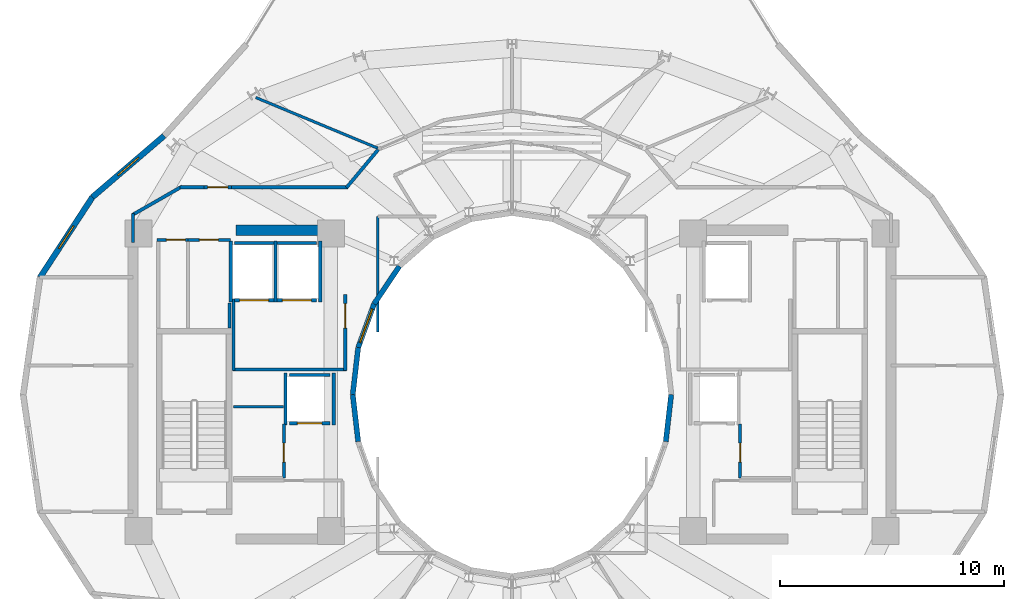
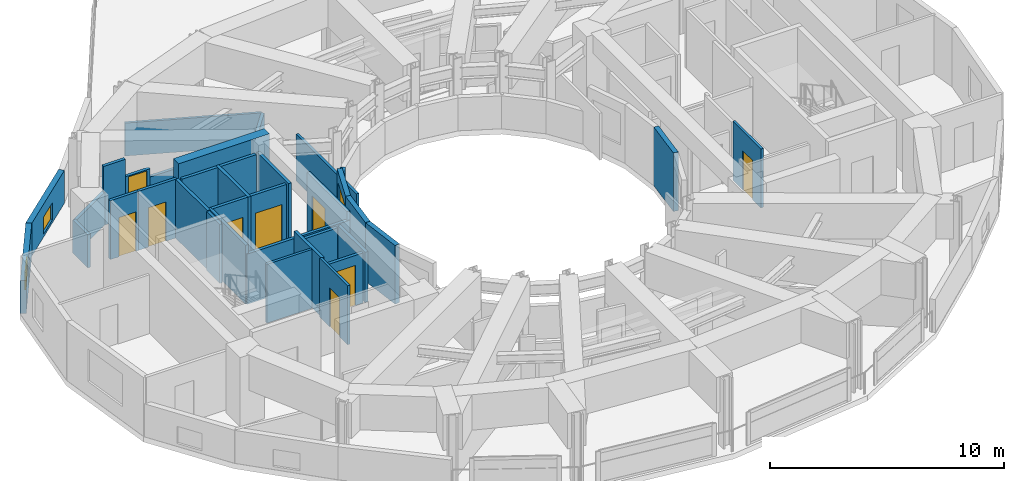
# One storey, part 15 of 21: 36 walls, 9 doors, 3 windows, 12 openings.
"""IFC4 building model written with IfcOpenShell, lengths in metres."""

from ifc_helpers import new_model, si_unit, direction, frame, frame_2d, origin, place, context, subcontext, project, spatial, rectangle, extrude, material, layer, layer_set, type_object, element, fill, save


model = new_model("IFC4")

# Units and contexts
model_context = context("Model", 3, precision=1e-05, world=origin(), true_north=direction((0.0, 1.0)))
body_context = subcontext(model_context, "Body", "Model", "MODEL_VIEW")
ifc_project = project(units=[si_unit("LENGTHUNIT", "METRE"), si_unit("AREAUNIT", "SQUARE_METRE"), si_unit("VOLUMEUNIT", "CUBIC_METRE"), si_unit("PLANEANGLEUNIT", "RADIAN"), si_unit("MASSUNIT", "GRAM", prefix="KILO")], contexts=[model_context])

# Site, building, storey
site_placement = place(None, origin())
site = spatial("IfcSite", under=ifc_project, at=site_placement, CompositionType="ELEMENT")
building_placement = place(site_placement, origin())
building = spatial("IfcBuilding", under=site, at=building_placement, Name="Solvane Sanctuary Tower", CompositionType="ELEMENT")
storey_placement = place(building_placement, frame((0.0, 0.0, 256.800048828125)))
storey = spatial("IfcBuildingStorey", under=building, at=storey_placement, Name="L78", CompositionType="ELEMENT", Elevation=256.800048828125)

# Walls
ifc_material_1 = material(Name="Concrete C50/60", Category="concrete")
ifc_layer_1 = layer(ifc_material_1, 0.449951171875, Name="Concrete C50/60")
ifc_layer_set_1 = layer_set([ifc_layer_1], Name="Concrete C50/60")
wall_type_1 = type_object("IfcWallType", Name="Wall W-CORE-450", PredefinedType="SHEAR", material=ifc_layer_set_1)
wall_1_placement = place(storey_placement, frame((19.64990234375, 30.35009765625, 0.0), z_axis=(0.0, 0.0, 1.0), x_axis=(1.0, 0.0, 0.0)))
element("IfcWall", 1, at=wall_1_placement, inside=storey, type_object=wall_type_1, Name="L78 Core Shear Wall WC-N", PredefinedType="SHEAR", context=body_context, shape_type="SweptSolid", body=[
    extrude(rectangle(XDim=4.5, YDim=0.449951171875, at=frame_2d((2.25, 0.0))), origin(), (0.0, 0.0, 1.0), 3.599853515625),
])
ifc_material_2 = material(Name="Acoustic Gypsum Partition Board")
ifc_layer_2 = layer(ifc_material_2, 0.14990234375, Name="Acoustic Gypsum Partition Board")
ifc_layer_set_2 = layer_set([ifc_layer_2], Name="Acoustic Gypsum Partition Board")
wall_type_2 = type_object("IfcWallType", Name="Wall W-CORR-150", PredefinedType="PARTITIONING", material=ifc_layer_set_2)
wall_2_placement = place(storey_placement, frame((19.52001953125, 24.1201171875, 0.0), z_axis=(0.0, 0.0, 1.0), x_axis=(1.0, 0.0, 0.0)))
element("IfcWall", 2, at=wall_2_placement, inside=storey, type_object=wall_type_2, Name="L78 West Firefighting Lobby South Wall", PredefinedType="PARTITIONING", context=body_context, shape_type="SweptSolid", body=[
    extrude(rectangle(XDim=5.080078125, YDim=0.14990234375, at=frame_2d((2.5400390625, 0.0))), origin(), (0.0, 0.0, 1.0), 2.619873046875),
])
wall_3_placement = place(storey_placement, frame((19.550048828125, 24.080078125, 0.0), z_axis=(0.0, 0.0, 1.0), x_axis=(0.0, 1.0, 0.0)))
element("IfcWall", 3, at=wall_3_placement, inside=storey, type_object=wall_type_2, Name="L78 West Firefighting Lobby West Wall", PredefinedType="PARTITIONING", context=body_context, shape_type="SweptSolid", body=[
    extrude(rectangle(XDim=3.199951171875, YDim=0.14990234375, at=frame_2d((1.60009765625, 0.0))), origin(), (0.0, 0.0, 1.0), 3.074951171875),
])

# Wall, opening, door
wall_4_placement = place(storey_placement, frame((24.550048828125, 24.080078125, 0.0), z_axis=(0.0, 0.0, 1.0), x_axis=(0.0, 1.0, 0.0)))
wall_4 = element("IfcWall", 4, at=wall_4_placement, inside=storey, type_object=wall_type_2, Name="L78 West Firefighting Lobby East Wall", PredefinedType="PARTITIONING", context=body_context, shape_type="SweptSolid", body=[
    extrude(rectangle(XDim=3.39990234375, YDim=0.14990234375, at=frame_2d((1.699951171875, 0.0))), origin(), (0.0, 0.0, 1.0), 3.074951171875),
])
opening_1_placement = place(wall_4_placement, frame((1.893798828125, 0.0, 0.0)))
opening_1 = element("IfcOpeningElement", 5, at=opening_1_placement, cuts=wall_4, Name="Opening D-L78-03", PredefinedType="OPENING", context=body_context, shape_type="SweptSolid", body=[
    extrude(rectangle(XDim=1.10009765625, YDim=2.10009765625, at=frame_2d((0.550048828125, 1.050048828125))), frame((0.0, 0.0849609375, 0.0), z_axis=(0.0, -1.0, 0.0), x_axis=(1.0, 0.0, 0.0)), (0.0, 0.0, 1.0), 0.169921875),
])
ifc_material_3 = material(Name="Architectural Stainless Steel 316", Category="steel")
door_type_1 = type_object("IfcDoorType", Name="Door D-FFL", OperationType="NOTDEFINED", PredefinedType="DOOR", material=ifc_material_3)
door_1_placement = place(opening_1_placement, origin())
door_1 = element("IfcDoor", 6, at=door_1_placement, inside=storey, type_object=door_type_1, Name="L78 West Firefighting Lobby Fire Door", OperationType="SINGLE_SWING_RIGHT", OverallHeight=2.10009765625, OverallWidth=1.10009765625, PredefinedType="DOOR", context=body_context, shape_type="SweptSolid", body=[
    extrude(rectangle(XDim=1.10009765625, YDim=2.10009765625, at=frame_2d((0.550048828125, 1.050048828125))), frame((0.0, 0.02490234375, 0.0), z_axis=(0.0, -1.0, 0.0), x_axis=(1.0, 0.0, 0.0)), (0.0, 0.0, 1.0), 0.050048828125),
])
fill(opening_1, door_1)

# Walls
wall_5_placement = place(storey_placement, frame((15.050048828125, 29.800048828125, 0.0), z_axis=(0.0, 0.0, 1.0), x_axis=(0.0, 1.0, 0.0)))
element("IfcWall", 7, at=wall_5_placement, inside=storey, type_object=wall_type_2, Name="L78 NW Corner Closer 1", PredefinedType="PARTITIONING", context=body_context, shape_type="SweptSolid", body=[
    extrude(rectangle(XDim=1.2900390625, YDim=0.14990234375, at=frame_2d((0.64501953125, 0.0))), origin(), (0.0, 0.0, 1.0), 1.719970703125),
])
wall_6_placement = place(storey_placement, frame((26.015869140625, 33.95458984375, 0.0), z_axis=(0.0, 0.0, 1.0), x_axis=(-0.64030392053, -0.76812166312, 0.0)))
element("IfcWall", 8, at=wall_6_placement, inside=storey, type_object=wall_type_2, Name="L78 NW Corner Throat Wall", PredefinedType="PARTITIONING", context=body_context, shape_type="SweptSolid", body=[
    extrude(rectangle(XDim=2.2099609375, YDim=0.14990234375, at=frame_2d((1.10498046875, 0.0))), origin(), (0.0, 0.0, 1.0), 1.719970703125),
])
wall_7_placement = place(storey_placement, frame((17.14990234375, 32.280029296875, 0.0), z_axis=(0.0, 0.0, 1.0), x_axis=(1.0, 0.0, 0.0)))
element("IfcWall", 9, at=wall_7_placement, inside=storey, type_object=wall_type_2, Name="L78 NW Corner Corridor Wall", PredefinedType="PARTITIONING", context=body_context, shape_type="SweptSolid", body=[
    extrude(rectangle(XDim=1.08251953125, YDim=0.14990234375, at=frame_2d((0.541259765625, 0.0))), origin(), (0.0, 0.0, 1.0), 3.074951171875),
])

# Wall, opening, door
wall_8_placement = place(storey_placement, frame((18.232421875, 32.280029296875, 0.0), z_axis=(0.0, 0.0, 1.0), x_axis=(1.0, 0.0, 0.0)))
wall_8 = element("IfcWall", 10, at=wall_8_placement, inside=storey, type_object=wall_type_2, Name="L78 NW Corner Corridor Wall", PredefinedType="PARTITIONING", context=body_context, shape_type="SweptSolid", body=[
    extrude(rectangle(XDim=1.219970703125, YDim=0.14990234375, at=frame_2d((0.60986328125, 0.0))), origin(), (0.0, 0.0, 1.0), 2.159912109375),
])
opening_2_placement = place(wall_8_placement, frame((0.159912109375, 0.0, 0.0)))
opening_2 = element("IfcOpeningElement", 11, at=opening_2_placement, cuts=wall_8, Name="Opening D-L78-22", PredefinedType="OPENING", context=body_context, shape_type="SweptSolid", body=[
    extrude(rectangle(XDim=0.89990234375, YDim=2.10009765625, at=frame_2d((0.449951171875, 1.050048828125))), frame((0.0, 0.0849609375, 0.0), z_axis=(0.0, -1.0, 0.0), x_axis=(1.0, 0.0, 0.0)), (0.0, 0.0, 1.0), 0.169921875),
])
ifc_material_4 = material(Name="Engineered Tropical Hardwood", Category="wood")
door_type_2 = type_object("IfcDoorType", Name="Door D-WET-900", OperationType="NOTDEFINED", PredefinedType="DOOR", material=ifc_material_4)
door_2_placement = place(opening_2_placement, origin())
door_2 = element("IfcDoor", 12, at=door_2_placement, inside=storey, type_object=door_type_2, Name="L78 NW Corner Salon Door", OperationType="SINGLE_SWING_LEFT", OverallHeight=2.10009765625, OverallWidth=0.89990234375, PredefinedType="DOOR", context=body_context, shape_type="SweptSolid", body=[
    extrude(rectangle(XDim=0.89990234375, YDim=2.10009765625, at=frame_2d((0.449951171875, 1.050048828125))), frame((0.0, 0.02490234375, 0.0), z_axis=(0.0, -1.0, 0.0), x_axis=(1.0, 0.0, 0.0)), (0.0, 0.0, 1.0), 0.050048828125),
])
fill(opening_2, door_2)

# Walls
wall_9_placement = place(storey_placement, frame((19.452392578125, 32.280029296875, 0.0), z_axis=(0.0, 0.0, 1.0), x_axis=(1.0, 0.0, 0.0)))
element("IfcWall", 13, at=wall_9_placement, inside=storey, type_object=wall_type_2, Name="L78 NW Corner Corridor Wall", PredefinedType="PARTITIONING", context=body_context, shape_type="SweptSolid", body=[
    extrude(rectangle(XDim=5.217529296875, YDim=0.14990234375, at=frame_2d((2.60888671875, 0.0))), origin(), (0.0, 0.0, 1.0), 1.719970703125),
])
wall_10_placement = place(storey_placement, frame((17.243408203125, 32.3046875, 0.0), z_axis=(0.0, 0.0, 1.0), x_axis=(-0.867991349648, -0.496579315857, 0.0)))
element("IfcWall", 14, at=wall_10_placement, inside=storey, type_object=wall_type_2, Name="L78 NW Corner Wing Wall", PredefinedType="PARTITIONING", context=body_context, shape_type="SweptSolid", body=[
    extrude(rectangle(XDim=2.56689453125, YDim=0.14990234375, at=frame_2d((1.283447265625, 0.0))), origin(), (0.0, 0.0, 1.0), 1.719970703125),
])

# Wall, opening, window
ifc_material_5 = material(Name="Precast concrete C40/50", Category="concrete")
ifc_layer_3 = layer(ifc_material_5, 0.260009765625, Name="Precast concrete C40/50")
ifc_layer_set_3 = layer_set([ifc_layer_3], Name="Precast concrete C40/50")
wall_type_3 = type_object("IfcWallType", Name="Wall W-EXT-250", PredefinedType="STANDARD", material=ifc_layer_set_3)
wall_11_placement = place(storey_placement, frame((16.4423828125, 34.572265625, 0.0), z_axis=(0.0, 0.0, 1.0), x_axis=(-0.759587504333, -0.650405122413, 0.0)))
wall_11 = element("IfcWall", 15, at=wall_11_placement, inside=storey, type_object=wall_type_3, Name="L78 Ceramic-Printed Facade Wall 09", PredefinedType="STANDARD", context=body_context, shape_type="SweptSolid", body=[
    extrude(rectangle(XDim=4.21728515625, YDim=0.260009765625, at=frame_2d((2.108642578125, 0.0))), origin(), (0.0, 0.0, 1.0), 1.719970703125),
])
opening_3_placement = place(wall_11_placement, frame((1.508544921875, 0.0, 0.14990234375)))
opening_3 = element("IfcOpeningElement", 16, at=opening_3_placement, cuts=wall_11, Name="Opening WN-OPER-1200", PredefinedType="OPENING", context=body_context, shape_type="SweptSolid", body=[
    extrude(rectangle(XDim=1.199951171875, YDim=0.89990234375, at=frame_2d((0.60009765625, 0.449951171875))), frame((0.0, 0.139892578125, 0.0), z_axis=(0.0, -1.0, 0.0), x_axis=(1.0, 0.0, 0.0)), (0.0, 0.0, 1.0), 0.280029296875),
])
ifc_material_6 = material(Name="Dark Ceramic-Fritted Low-E Glass", Category="glass")
window_type_1 = type_object("IfcWindowType", Name="Window WN-OPER-1200", PartitioningType="SINGLE_PANEL", PredefinedType="WINDOW", material=ifc_material_6)
window_1_placement = place(opening_3_placement, origin())
window_1 = element("IfcWindow", 17, at=window_1_placement, inside=storey, type_object=window_type_1, Name="L78 Operable Facade Window 09", OverallHeight=0.89990234375, OverallWidth=1.199951171875, PartitioningType="SINGLE_PANEL", PredefinedType="WINDOW", context=body_context, shape_type="SweptSolid", body=[
    extrude(rectangle(XDim=1.199951171875, YDim=0.89990234375, at=frame_2d((0.60009765625, 0.449951171875))), frame((0.0, 0.030029296875, 0.0), z_axis=(0.0, -1.0, 0.0), x_axis=(1.0, 0.0, 0.0)), (0.0, 0.0, 1.0), 0.06005859375),
])
fill(opening_3, window_1)

wall_12_placement = place(storey_placement, frame((13.239013671875, 31.829345703125, 0.0), z_axis=(0.0, 0.0, 1.0), x_axis=(-0.546606419826, -0.837389647539, 0.0)))
wall_12 = element("IfcWall", 18, at=wall_12_placement, inside=storey, type_object=wall_type_3, Name="L78 Ceramic-Printed Facade Wall 10", PredefinedType="STANDARD", context=body_context, shape_type="SweptSolid", body=[
    extrude(rectangle(XDim=4.287841796875, YDim=0.260009765625, at=frame_2d((2.14404296875, 0.0))), origin(), (0.0, 0.0, 1.0), 1.719970703125),
])
opening_4_placement = place(wall_12_placement, frame((1.5439453125, 0.0, 0.14990234375)))
opening_4 = element("IfcOpeningElement", 19, at=opening_4_placement, cuts=wall_12, Name="Opening WN-OPER-1200", PredefinedType="OPENING", context=body_context, shape_type="SweptSolid", body=[
    extrude(rectangle(XDim=1.199951171875, YDim=0.89990234375, at=frame_2d((0.60009765625, 0.449951171875))), frame((0.0, 0.139892578125, 0.0), z_axis=(0.0, -1.0, 0.0), x_axis=(1.0, 0.0, 0.0)), (0.0, 0.0, 1.0), 0.280029296875),
])
window_2_placement = place(opening_4_placement, origin())
window_2 = element("IfcWindow", 20, at=window_2_placement, inside=storey, type_object=window_type_1, Name="L78 Operable Facade Window 10", OverallHeight=0.89990234375, OverallWidth=1.199951171875, PartitioningType="SINGLE_PANEL", PredefinedType="WINDOW", context=body_context, shape_type="SweptSolid", body=[
    extrude(rectangle(XDim=1.199951171875, YDim=0.89990234375, at=frame_2d((0.60009765625, 0.449951171875))), frame((0.0, 0.030029296875, 0.0), z_axis=(0.0, -1.0, 0.0), x_axis=(1.0, 0.0, 0.0)), (0.0, 0.0, 1.0), 0.06005859375),
])
fill(opening_4, window_2)

# Wall
ifc_layer_4 = layer(ifc_material_5, 0.22998046875, Name="Precast concrete C40/50")
ifc_layer_set_4 = layer_set([ifc_layer_4], Name="Precast concrete C40/50")
wall_type_4 = type_object("IfcWallType", Name="Wall W-EXT-SP220", PredefinedType="STANDARD", material=ifc_layer_set_4)
wall_13_placement = place(storey_placement, frame((26.96533203125, 28.74169921875, 0.0), z_axis=(0.0, 0.0, 1.0), x_axis=(-0.558197800898, -0.829707909492, 0.0)))
element("IfcWall", 21, at=wall_13_placement, inside=storey, type_object=wall_type_4, Name="L78 Central Light-Well Wall 09", PredefinedType="STANDARD", context=body_context, shape_type="SweptSolid", body=[
    extrude(rectangle(XDim=2.02685546875, YDim=0.22998046875, at=frame_2d((1.013427734375, 0.0))), origin(), (0.0, 0.0, 1.0), 1.719970703125),
])

# Wall, opening, window
wall_14_placement = place(storey_placement, frame((25.833984375, 27.06005859375, 0.0), z_axis=(0.0, 0.0, 1.0), x_axis=(-0.341423187295, -0.93990968033, 0.0)))
wall_14 = element("IfcWall", 22, at=wall_14_placement, inside=storey, type_object=wall_type_4, Name="L78 Central Light-Well Wall 10", PredefinedType="STANDARD", context=body_context, shape_type="SweptSolid", body=[
    extrude(rectangle(XDim=2.083740234375, YDim=0.22998046875, at=frame_2d((1.0419921875, 0.0))), origin(), (0.0, 0.0, 1.0), 3.06005859375),
])
opening_5_placement = place(wall_14_placement, frame((0.24169921875, 0.0, 0.85009765625)))
opening_5 = element("IfcOpeningElement", 23, at=opening_5_placement, cuts=wall_14, Name="Opening WN-WELL-1600", PredefinedType="OPENING", context=body_context, shape_type="SweptSolid", body=[
    extrude(rectangle(XDim=1.60009765625, YDim=1.64990234375, at=frame_2d((0.800048828125, 0.824951171875))), frame((0.0, 0.125, 0.0), z_axis=(0.0, -1.0, 0.0), x_axis=(1.0, 0.0, 0.0)), (0.0, 0.0, 1.0), 0.25),
])
ifc_material_7 = material(Name="Clear Laminated Light-Well Glass", Category="glass")
window_type_2 = type_object("IfcWindowType", Name="Window WN-WELL-1600", PartitioningType="SINGLE_PANEL", PredefinedType="WINDOW", material=ifc_material_7)
window_3_placement = place(opening_5_placement, origin())
window_3 = element("IfcWindow", 24, at=window_3_placement, inside=storey, type_object=window_type_2, Name="L78 Light-Well Daylight Window 10", OverallHeight=1.64990234375, OverallWidth=1.60009765625, PartitioningType="SINGLE_PANEL", PredefinedType="WINDOW", context=body_context, shape_type="SweptSolid", body=[
    extrude(rectangle(XDim=1.60009765625, YDim=1.64990234375, at=frame_2d((0.800048828125, 0.824951171875))), frame((0.0, 0.030029296875, 0.0), z_axis=(0.0, -1.0, 0.0), x_axis=(1.0, 0.0, 0.0)), (0.0, 0.0, 1.0), 0.06005859375),
])
fill(opening_5, window_3)

# Walls
for number, where, z_axis, x_axis, name in (
    (25, (25.12255859375, 25.1015625, 0.0), (0.0, 0.0, 1.0), (-0.114711713601, -0.993398823617, 0.0), "L78 Central Light-Well Wall 11"),
    (26, (24.8798828125, 23.0, 0.0), (0.0, 0.0, 1.0), (0.114711713601, -0.993398823617, 0.0), "L78 Central Light-Well Wall 12"),
    (27, (38.87744140625, 20.8984375, 0.0), (0.0, 0.0, 1.0), (0.114711713601, 0.993398823617, 0.0), "L78 Central Light-Well Wall 23"),
):
    element("IfcWall", number, at=place(storey_placement, frame(where, z_axis=z_axis, x_axis=x_axis)), inside=storey, type_object=wall_type_4, Name=name, PredefinedType="STANDARD", context=body_context, shape_type="SweptSolid", body=[
        extrude(rectangle(XDim=2.115478515625, YDim=0.22998046875, at=frame_2d((1.0576171875, 0.0))), origin(), (0.0, 0.0, 1.0), 3.06005859375),
    ])
ifc_layer_5 = layer(ifc_material_2, 0.1201171875, Name="Acoustic Gypsum Partition Board")
ifc_layer_set_5 = layer_set([ifc_layer_5], Name="Acoustic Gypsum Partition Board")
wall_type_5 = type_object("IfcWallType", Name="Wall W-MOV-100", PredefinedType="MOVABLE", material=ifc_layer_set_5)
wall_15_placement = place(storey_placement, frame((26.000244140625, 34.017822265625, 0.0), z_axis=(0.0, 0.0, 1.0), x_axis=(-0.92349333748, 0.383614462228, 0.0)))
element("IfcWall", 28, at=wall_15_placement, inside=storey, type_object=wall_type_5, Name="L78 Sky Hall Radial Partition 120", PredefinedType="MOVABLE", context=body_context, shape_type="SweptSolid", body=[
    extrude(rectangle(XDim=5.9072265625, YDim=0.1201171875, at=frame_2d((2.95361328125, 0.0))), origin(), (0.0, 0.0, 1.0), 1.719970703125),
])

# Wall, opening, door
ifc_layer_6 = layer(ifc_material_2, 0.125, Name="Acoustic Gypsum Partition Board")
ifc_layer_set_6 = layer_set([ifc_layer_6], Name="Acoustic Gypsum Partition Board")
wall_type_6 = type_object("IfcWallType", Name="Wall W-PART-125", PredefinedType="PARTITIONING", material=ifc_layer_set_6)
wall_16_placement = place(storey_placement, frame((21.800048828125, 19.280029296875, 0.0), z_axis=(0.0, 0.0, 1.0), x_axis=(0.0, 1.0, 0.0)))
wall_16 = element("IfcWall", 29, at=wall_16_placement, inside=storey, type_object=wall_type_6, Name="L78 Reclaimed Room Partition PMW", PredefinedType="PARTITIONING", context=body_context, shape_type="SweptSolid", body=[
    extrude(rectangle(XDim=2.39990234375, YDim=0.125, at=frame_2d((1.199951171875, 0.0))), origin(), (0.0, 0.0, 1.0), 3.074951171875),
])
opening_6_placement = place(wall_16_placement, frame((0.699951171875, 0.0, 0.0)))
opening_6 = element("IfcOpeningElement", 30, at=opening_6_placement, cuts=wall_16, Name="Opening D-L78-07", PredefinedType="OPENING", context=body_context, shape_type="SweptSolid", body=[
    extrude(rectangle(XDim=0.85009765625, YDim=2.050048828125, at=frame_2d((0.425048828125, 1.02490234375))), frame((0.0, 0.072509765625, 0.0), z_axis=(0.0, -1.0, 0.0), x_axis=(1.0, 0.0, 0.0)), (0.0, 0.0, 1.0), 0.14501953125),
])
door_type_3 = type_object("IfcDoorType", Name="Door D-RISER", OperationType="NOTDEFINED", PredefinedType="DOOR", material=ifc_material_3)
door_3_placement = place(opening_6_placement, origin())
door_3 = element("IfcDoor", 31, at=door_3_placement, inside=storey, type_object=door_type_3, Name="L78 Reclaimed Room Door PMW-1", OperationType="SINGLE_SWING_RIGHT", OverallHeight=2.050048828125, OverallWidth=0.85009765625, PredefinedType="DOOR", context=body_context, shape_type="SweptSolid", body=[
    extrude(rectangle(XDim=0.85009765625, YDim=2.050048828125, at=frame_2d((0.425048828125, 1.02490234375))), frame((0.0, 0.02490234375, 0.0), z_axis=(0.0, -1.0, 0.0), x_axis=(1.0, 0.0, 0.0)), (0.0, 0.0, 1.0), 0.050048828125),
])
fill(opening_6, door_3)

# Wall
wall_17_placement = place(storey_placement, frame((19.550048828125, 22.4599609375, 0.0), z_axis=(0.0, 0.0, 1.0), x_axis=(1.0, 0.0, 0.0)))
element("IfcWall", 32, at=wall_17_placement, inside=storey, type_object=wall_type_6, Name="L78 Reclaimed Room Closer Wall PMW-2", PredefinedType="PARTITIONING", context=body_context, shape_type="SweptSolid", body=[
    extrude(rectangle(XDim=2.22998046875, YDim=0.125, at=frame_2d((1.114990234375, 0.0))), origin(), (0.0, 0.0, 1.0), 3.074951171875),
])

# Wall, opening, door
wall_18_placement = place(storey_placement, frame((42.199951171875, 19.280029296875, 0.0), z_axis=(0.0, 0.0, 1.0), x_axis=(0.0, 1.0, 0.0)))
wall_18 = element("IfcWall", 33, at=wall_18_placement, inside=storey, type_object=wall_type_6, Name="L78 Reclaimed Room Partition PME", PredefinedType="PARTITIONING", context=body_context, shape_type="SweptSolid", body=[
    extrude(rectangle(XDim=2.39990234375, YDim=0.125, at=frame_2d((1.199951171875, 0.0))), origin(), (0.0, 0.0, 1.0), 3.074951171875),
])
opening_7_placement = place(wall_18_placement, frame((0.699951171875, 0.0, 0.0)))
opening_7 = element("IfcOpeningElement", 34, at=opening_7_placement, cuts=wall_18, Name="Opening D-L78-08", PredefinedType="OPENING", context=body_context, shape_type="SweptSolid", body=[
    extrude(rectangle(XDim=0.85009765625, YDim=2.050048828125, at=frame_2d((0.425048828125, 1.02490234375))), frame((0.0, 0.072509765625, 0.0), z_axis=(0.0, -1.0, 0.0), x_axis=(1.0, 0.0, 0.0)), (0.0, 0.0, 1.0), 0.14501953125),
])
door_4_placement = place(opening_7_placement, origin())
door_4 = element("IfcDoor", 35, at=door_4_placement, inside=storey, type_object=door_type_3, Name="L78 Reclaimed Room Door PME-1", OperationType="SINGLE_SWING_LEFT", OverallHeight=2.050048828125, OverallWidth=0.85009765625, PredefinedType="DOOR", context=body_context, shape_type="SweptSolid", body=[
    extrude(rectangle(XDim=0.85009765625, YDim=2.050048828125, at=frame_2d((0.425048828125, 1.02490234375))), frame((0.0, 0.02490234375, 0.0), z_axis=(0.0, -1.0, 0.0), x_axis=(1.0, 0.0, 0.0)), (0.0, 0.0, 1.0), 0.050048828125),
])
fill(opening_7, door_4)

# Wall
wall_19_placement = place(storey_placement, frame((26.0, 25.800048828125, 0.0), z_axis=(0.0, 0.0, 1.0), x_axis=(0.0, 1.0, 0.0)))
element("IfcWall", 36, at=wall_19_placement, inside=storey, type_object=wall_type_6, Name="L78 Bridge Alcove Wall 1", PredefinedType="PARTITIONING", context=body_context, shape_type="SweptSolid", body=[
    extrude(rectangle(XDim=5.159912109375, YDim=0.125, at=frame_2d((2.580078125, 0.0))), origin(), (0.0, 0.0, 1.0), 2.451904296875),
])

# Wall, opening, door
ifc_layer_7 = layer(ifc_material_1, 0.14990234375, Name="Concrete C50/60")
ifc_layer_set_7 = layer_set([ifc_layer_7], Name="Concrete C50/60")
wall_type_7 = type_object("IfcWallType", Name="Wall W-SHAFT-150", PredefinedType="SOLIDWALL", material=ifc_layer_set_7)
wall_20_placement = place(storey_placement, frame((22.0400390625, 21.719970703125, 0.0), z_axis=(0.0, 0.0, 1.0), x_axis=(1.0, 0.0, 0.0)))
wall_20 = element("IfcWall", 37, at=wall_20_placement, inside=storey, type_object=wall_type_7, Name="L78 PH-1 Lift Shaft Wall F", PredefinedType="SOLIDWALL", context=body_context, shape_type="SweptSolid", body=[
    extrude(rectangle(XDim=1.820068359375, YDim=0.14990234375, at=frame_2d((0.91015625, 0.0))), origin(), (0.0, 0.0, 1.0), 2.619873046875),
])
opening_8_placement = place(wall_20_placement, frame((0.360107421875, 0.0, 0.0)))
opening_8 = element("IfcOpeningElement", 38, at=opening_8_placement, cuts=wall_20, Name="Opening LD-L78-01", PredefinedType="OPENING", context=body_context, shape_type="SweptSolid", body=[
    extrude(rectangle(XDim=1.10009765625, YDim=2.10009765625, at=frame_2d((0.550048828125, 1.050048828125))), frame((0.0, 0.0849609375, 0.0), z_axis=(0.0, -1.0, 0.0), x_axis=(1.0, 0.0, 0.0)), (0.0, 0.0, 1.0), 0.169921875),
])
door_type_4 = type_object("IfcDoorType", Name="Door LD-PASS-1100", OperationType="NOTDEFINED", PredefinedType="DOOR", material=ifc_material_3)
door_5_placement = place(opening_8_placement, origin())
door_5 = element("IfcDoor", 39, at=door_5_placement, inside=storey, type_object=door_type_4, Name="L78 PH-1 Lift Landing Door", OperationType="DOUBLE_DOOR_SLIDING", OverallHeight=2.10009765625, OverallWidth=1.10009765625, PredefinedType="DOOR", context=body_context, shape_type="SweptSolid", body=[
    extrude(rectangle(XDim=1.10009765625, YDim=2.10009765625, at=frame_2d((0.550048828125, 1.050048828125))), frame((0.0, 0.02490234375, 0.0), z_axis=(0.0, -1.0, 0.0), x_axis=(1.0, 0.0, 0.0)), (0.0, 0.0, 1.0), 0.050048828125),
])
fill(opening_8, door_5)

# Walls
wall_21_placement = place(storey_placement, frame((22.0400390625, 23.8798828125, 0.0), z_axis=(0.0, 0.0, 1.0), x_axis=(1.0, 0.0, 0.0)))
element("IfcWall", 40, at=wall_21_placement, inside=storey, type_object=wall_type_7, Name="L78 PH-1 Lift Shaft Wall B", PredefinedType="SOLIDWALL", context=body_context, shape_type="SweptSolid", body=[
    extrude(rectangle(XDim=1.820068359375, YDim=0.14990234375, at=frame_2d((0.91015625, 0.0))), origin(), (0.0, 0.0, 1.0), 2.619873046875),
])
wall_22_placement = place(storey_placement, frame((21.8701171875, 21.639892578125, 0.0), z_axis=(0.0, 0.0, 1.0), x_axis=(0.0, 1.0, 0.0)))
element("IfcWall", 41, at=wall_22_placement, inside=storey, type_object=wall_type_7, Name="L78 PH-1 Lift Shaft Wall S1", PredefinedType="SOLIDWALL", context=body_context, shape_type="SweptSolid", body=[
    extrude(rectangle(XDim=2.320068359375, YDim=0.14990234375, at=frame_2d((1.16015625, 0.0))), origin(), (0.0, 0.0, 1.0), 3.074951171875),
])
wall_23_placement = place(storey_placement, frame((24.030029296875, 21.639892578125, 0.0), z_axis=(0.0, 0.0, 1.0), x_axis=(0.0, 1.0, 0.0)))
element("IfcWall", 42, at=wall_23_placement, inside=storey, type_object=wall_type_7, Name="L78 PH-1 Lift Shaft Wall S2", PredefinedType="SOLIDWALL", context=body_context, shape_type="SweptSolid", body=[
    extrude(rectangle(XDim=2.320068359375, YDim=0.14990234375, at=frame_2d((1.16015625, 0.0))), origin(), (0.0, 0.0, 1.0), 2.619873046875),
])

# Wall, opening, door
wall_24_placement = place(storey_placement, frame((19.590087890625, 27.219970703125, 0.0), z_axis=(0.0, 0.0, 1.0), x_axis=(1.0, 0.0, 0.0)))
wall_24 = element("IfcWall", 43, at=wall_24_placement, inside=storey, type_object=wall_type_7, Name="L78 FFL-1 Lift Shaft Wall F", PredefinedType="SOLIDWALL", context=body_context, shape_type="SweptSolid", body=[
    extrude(rectangle(XDim=1.760009765625, YDim=0.14990234375, at=frame_2d((0.8798828125, 0.0))), origin(), (0.0, 0.0, 1.0), 3.074951171875),
])
opening_9_placement = place(wall_24_placement, frame((0.22998046875, 0.0, 0.0)))
opening_9 = element("IfcOpeningElement", 44, at=opening_9_placement, cuts=wall_24, Name="Opening LD-L78-03", PredefinedType="OPENING", context=body_context, shape_type="SweptSolid", body=[
    extrude(rectangle(XDim=1.300048828125, YDim=2.10009765625, at=frame_2d((0.64990234375, 1.050048828125))), frame((0.0, 0.0849609375, 0.0), z_axis=(0.0, -1.0, 0.0), x_axis=(1.0, 0.0, 0.0)), (0.0, 0.0, 1.0), 0.169921875),
])
door_type_5 = type_object("IfcDoorType", Name="Door LD-FFL-1300", OperationType="NOTDEFINED", PredefinedType="DOOR", material=ifc_material_3)
door_6_placement = place(opening_9_placement, origin())
door_6 = element("IfcDoor", 45, at=door_6_placement, inside=storey, type_object=door_type_5, Name="L78 FFL-1 Lift Landing Door", OperationType="DOUBLE_DOOR_SLIDING", OverallHeight=2.10009765625, OverallWidth=1.300048828125, PredefinedType="DOOR", context=body_context, shape_type="SweptSolid", body=[
    extrude(rectangle(XDim=1.300048828125, YDim=2.10009765625, at=frame_2d((0.64990234375, 1.050048828125))), frame((0.0, 0.02490234375, 0.0), z_axis=(0.0, -1.0, 0.0), x_axis=(1.0, 0.0, 0.0)), (0.0, 0.0, 1.0), 0.050048828125),
])
fill(opening_9, door_6)

# Walls
wall_25_placement = place(storey_placement, frame((19.590087890625, 29.780029296875, 0.0), z_axis=(0.0, 0.0, 1.0), x_axis=(1.0, 0.0, 0.0)))
element("IfcWall", 46, at=wall_25_placement, inside=storey, type_object=wall_type_7, Name="L78 FFL-1 Lift Shaft Wall B", PredefinedType="SOLIDWALL", context=body_context, shape_type="SweptSolid", body=[
    extrude(rectangle(XDim=1.760009765625, YDim=0.14990234375, at=frame_2d((0.8798828125, 0.0))), origin(), (0.0, 0.0, 1.0), 3.074951171875),
])
for number, where, z_axis, x_axis, name in (
    (47, (19.419921875, 27.139892578125, 0.0), (0.0, 0.0, 1.0), (0.0, 1.0, 0.0), "L78 FFL-1 Lift Shaft Wall S1"),
    (48, (21.425048828125, 27.139892578125, 0.0), (0.0, 0.0, 1.0), (0.0, 1.0, 0.0), "L78 FFL-1 Lift Shaft Wall S2"),
):
    element("IfcWall", number, at=place(storey_placement, frame(where, z_axis=z_axis, x_axis=x_axis)), inside=storey, type_object=wall_type_7, Name=name, PredefinedType="SOLIDWALL", context=body_context, shape_type="SweptSolid", body=[
        extrude(rectangle(XDim=2.72021484375, YDim=0.14990234375, at=frame_2d((1.360107421875, 0.0))), origin(), (0.0, 0.0, 1.0), 3.074951171875),
    ])

# Wall, opening, door
wall_26_placement = place(storey_placement, frame((21.5, 27.219970703125, 0.0), z_axis=(0.0, 0.0, 1.0), x_axis=(1.0, 0.0, 0.0)))
wall_26 = element("IfcWall", 49, at=wall_26_placement, inside=storey, type_object=wall_type_7, Name="L78 SVL-1 Lift Shaft Wall F", PredefinedType="SOLIDWALL", context=body_context, shape_type="SweptSolid", body=[
    extrude(rectangle(XDim=1.760009765625, YDim=0.14990234375, at=frame_2d((0.8798828125, 0.0))), origin(), (0.0, 0.0, 1.0), 3.074951171875),
])
opening_10_placement = place(wall_26_placement, frame((0.22998046875, 0.0, 0.0)))
opening_10 = element("IfcOpeningElement", 50, at=opening_10_placement, cuts=wall_26, Name="Opening LD-L78-04", PredefinedType="OPENING", context=body_context, shape_type="SweptSolid", body=[
    extrude(rectangle(XDim=1.300048828125, YDim=2.10009765625, at=frame_2d((0.64990234375, 1.050048828125))), frame((0.0, 0.0849609375, 0.0), z_axis=(0.0, -1.0, 0.0), x_axis=(1.0, 0.0, 0.0)), (0.0, 0.0, 1.0), 0.169921875),
])
door_7_placement = place(opening_10_placement, origin())
door_7 = element("IfcDoor", 51, at=door_7_placement, inside=storey, type_object=door_type_5, Name="L78 SVL-1 Lift Landing Door", OperationType="DOUBLE_DOOR_SLIDING", OverallHeight=2.10009765625, OverallWidth=1.300048828125, PredefinedType="DOOR", context=body_context, shape_type="SweptSolid", body=[
    extrude(rectangle(XDim=1.300048828125, YDim=2.10009765625, at=frame_2d((0.64990234375, 1.050048828125))), frame((0.0, 0.02490234375, 0.0), z_axis=(0.0, -1.0, 0.0), x_axis=(1.0, 0.0, 0.0)), (0.0, 0.0, 1.0), 0.050048828125),
])
fill(opening_10, door_7)

# Walls
wall_27_placement = place(storey_placement, frame((21.5, 29.780029296875, 0.0), z_axis=(0.0, 0.0, 1.0), x_axis=(1.0, 0.0, 0.0)))
element("IfcWall", 52, at=wall_27_placement, inside=storey, type_object=wall_type_7, Name="L78 SVL-1 Lift Shaft Wall B", PredefinedType="SOLIDWALL", context=body_context, shape_type="SweptSolid", body=[
    extrude(rectangle(XDim=1.760009765625, YDim=0.14990234375, at=frame_2d((0.8798828125, 0.0))), origin(), (0.0, 0.0, 1.0), 3.074951171875),
])
wall_28_placement = place(storey_placement, frame((23.429931640625, 27.139892578125, 0.0), z_axis=(0.0, 0.0, 1.0), x_axis=(0.0, 1.0, 0.0)))
element("IfcWall", 53, at=wall_28_placement, inside=storey, type_object=wall_type_7, Name="L78 SVL-1 Lift Shaft Wall S2", PredefinedType="SOLIDWALL", context=body_context, shape_type="SweptSolid", body=[
    extrude(rectangle(XDim=2.72021484375, YDim=0.14990234375, at=frame_2d((1.360107421875, 0.0))), origin(), (0.0, 0.0, 1.0), 3.074951171875),
])

# Wall, opening, door
ifc_layer_8 = layer(ifc_material_2, 0.139892578125, Name="Acoustic Gypsum Partition Board")
ifc_layer_set_8 = layer_set([ifc_layer_8], Name="Acoustic Gypsum Partition Board")
wall_type_8 = type_object("IfcWallType", Name="Wall W-WET-140", PredefinedType="PLUMBINGWALL", material=ifc_layer_set_8)
wall_29_placement = place(storey_placement, frame((16.1201171875, 29.919921875, 0.0), z_axis=(0.0, 0.0, 1.0), x_axis=(1.0, 0.0, 0.0)))
wall_29 = element("IfcWall", 54, at=wall_29_placement, inside=storey, type_object=wall_type_8, Name="L78 Core Service Front Wall KW1", PredefinedType="PLUMBINGWALL", context=body_context, shape_type="SweptSolid", body=[
    extrude(rectangle(XDim=1.39990234375, YDim=0.139892578125, at=frame_2d((0.699951171875, 0.0))), origin(), (0.0, 0.0, 1.0), 3.074951171875),
])
opening_11_placement = place(wall_29_placement, frame((0.429931640625, 0.0, 0.0)))
opening_11 = element("IfcOpeningElement", 55, at=opening_11_placement, cuts=wall_29, Name="Opening D-L78-09", PredefinedType="OPENING", context=body_context, shape_type="SweptSolid", body=[
    extrude(rectangle(XDim=0.85009765625, YDim=2.050048828125, at=frame_2d((0.425048828125, 1.02490234375))), frame((0.0, 0.079833984375, 0.0), z_axis=(0.0, -1.0, 0.0), x_axis=(1.0, 0.0, 0.0)), (0.0, 0.0, 1.0), 0.159912109375),
])
door_8_placement = place(opening_11_placement, origin())
door_8 = element("IfcDoor", 56, at=door_8_placement, inside=storey, type_object=door_type_3, Name="L78 Core Service Room Door KW1-1", OperationType="SINGLE_SWING_RIGHT", OverallHeight=2.050048828125, OverallWidth=0.85009765625, PredefinedType="DOOR", context=body_context, shape_type="SweptSolid", body=[
    extrude(rectangle(XDim=0.85009765625, YDim=2.050048828125, at=frame_2d((0.425048828125, 1.02490234375))), frame((0.0, 0.02490234375, 0.0), z_axis=(0.0, -1.0, 0.0), x_axis=(1.0, 0.0, 0.0)), (0.0, 0.0, 1.0), 0.050048828125),
])
fill(opening_11, door_8)

wall_30_placement = place(storey_placement, frame((17.52001953125, 29.919921875, 0.0), z_axis=(0.0, 0.0, 1.0), x_axis=(1.0, 0.0, 0.0)))
wall_30 = element("IfcWall", 57, at=wall_30_placement, inside=storey, type_object=wall_type_8, Name="L78 Core Service Front Wall KW2", PredefinedType="PLUMBINGWALL", context=body_context, shape_type="SweptSolid", body=[
    extrude(rectangle(XDim=1.89990234375, YDim=0.139892578125, at=frame_2d((0.949951171875, 0.0))), origin(), (0.0, 0.0, 1.0), 3.074951171875),
])
opening_12_placement = place(wall_30_placement, frame((0.5, 0.0, 0.0)))
opening_12 = element("IfcOpeningElement", 58, at=opening_12_placement, cuts=wall_30, Name="Opening D-L78-10", PredefinedType="OPENING", context=body_context, shape_type="SweptSolid", body=[
    extrude(rectangle(XDim=0.85009765625, YDim=2.050048828125, at=frame_2d((0.425048828125, 1.02490234375))), frame((0.0, 0.079833984375, 0.0), z_axis=(0.0, -1.0, 0.0), x_axis=(1.0, 0.0, 0.0)), (0.0, 0.0, 1.0), 0.159912109375),
])
door_9_placement = place(opening_12_placement, origin())
door_9 = element("IfcDoor", 59, at=door_9_placement, inside=storey, type_object=door_type_3, Name="L78 Core Service Room Door KW2-1", OperationType="SINGLE_SWING_LEFT", OverallHeight=2.050048828125, OverallWidth=0.85009765625, PredefinedType="DOOR", context=body_context, shape_type="SweptSolid", body=[
    extrude(rectangle(XDim=0.85009765625, YDim=2.050048828125, at=frame_2d((0.425048828125, 1.02490234375))), frame((0.0, 0.02490234375, 0.0), z_axis=(0.0, -1.0, 0.0), x_axis=(1.0, 0.0, 0.0)), (0.0, 0.0, 1.0), 0.050048828125),
])
fill(opening_12, door_9)

# Wall
wall_31_placement = place(storey_placement, frame((19.360107421875, 25.97998046875, 0.0), z_axis=(0.0, 0.0, 1.0), x_axis=(0.0, 1.0, 0.0)))
element("IfcWall", 60, at=wall_31_placement, inside=storey, type_object=wall_type_8, Name="L78 Core Service Side Wall KW2-1", PredefinedType="PLUMBINGWALL", context=body_context, shape_type="SweptSolid", body=[
    extrude(rectangle(XDim=1.1201171875, YDim=0.139892578125, at=frame_2d((0.56005859375, 0.0))), origin(), (0.0, 0.0, 1.0), 3.074951171875),
])

save(model, "model.ifc")
